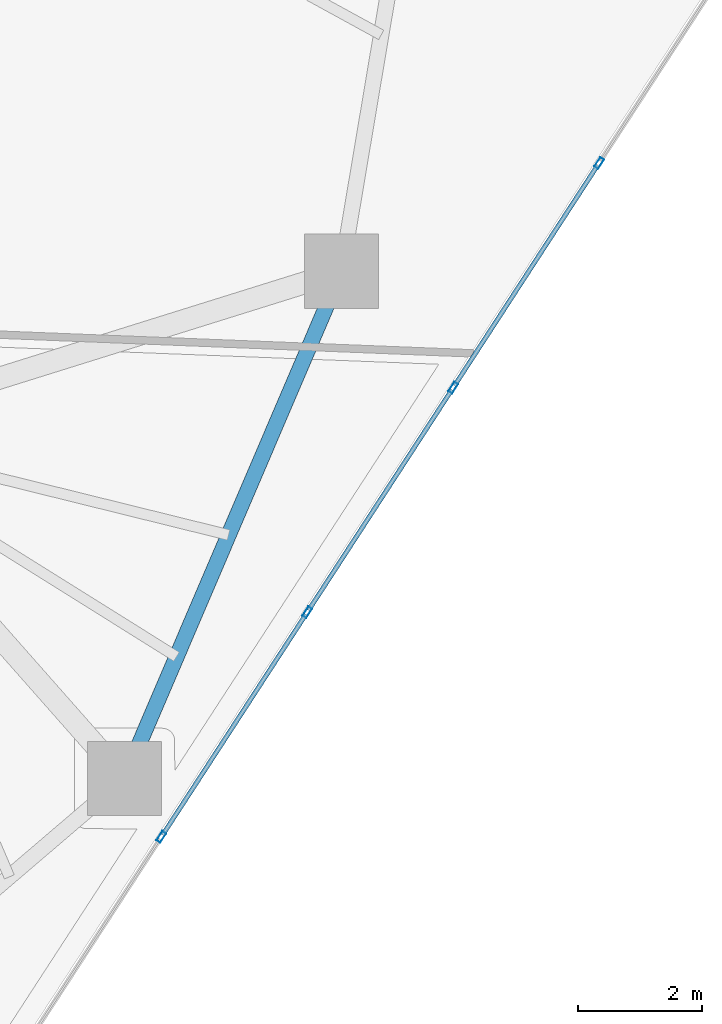
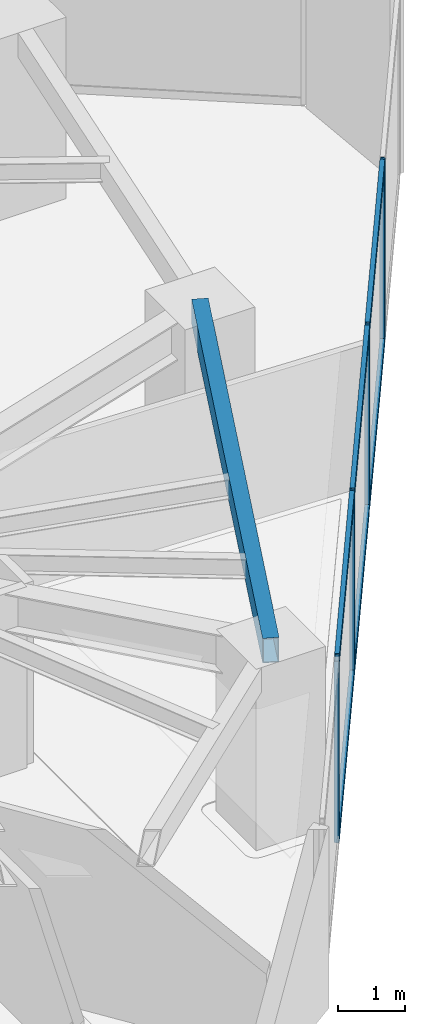
# One storey, part 11 of 21: 10 members, 1 beam, 1 element without a shape of its own.
"""IFC4 building model written with IfcOpenShell, lengths in metres."""

from ifc_helpers import new_model, si_unit, direction, frame, origin, origin_2d, place, context, subcontext, project, spatial, hollow_rectangle, extrude, source, transform, mapped, material, layer, layer_set, material_profile, profile_set, type_object, type_shapes, element, aggregate, save


model = new_model("IFC4")

# Units and contexts
model_context = context("Model", 3, precision=1e-05, world=origin(), true_north=direction((0.0, 1.0)))
body_context = subcontext(model_context, "Body", "Model", "MODEL_VIEW")
ifc_project = project(units=[si_unit("LENGTHUNIT", "METRE"), si_unit("AREAUNIT", "SQUARE_METRE"), si_unit("VOLUMEUNIT", "CUBIC_METRE"), si_unit("PLANEANGLEUNIT", "RADIAN"), si_unit("MASSUNIT", "GRAM", prefix="KILO")], contexts=[model_context])

# Site, building, storey
site_placement = place(None, origin())
site = spatial("IfcSite", under=ifc_project, at=site_placement, CompositionType="ELEMENT")
building_placement = place(site_placement, origin())
building = spatial("IfcBuilding", under=site, at=building_placement, Name="Talar Marvaseh", CompositionType="ELEMENT")
storey_placement = place(building_placement, frame((0.0, 0.0, 129.0)))
storey = spatial("IfcBuildingStorey", under=building, at=storey_placement, Name="L33", CompositionType="ELEMENT", Elevation=129.0)

# Beam
ifc_material_1 = material(Name="Steel S355", Category="steel")
ifc_material_profile_1 = material_profile(ifc_material_1, hollow_rectangle(XDim=0.25, YDim=0.449951171875, WallThickness=0.01611328125, at=origin_2d()), Name="RHS450x250x16")
ifc_profile_set_1 = profile_set([ifc_material_profile_1], Name="Steel S355")
beam_type = type_object("IfcBeamType", Name="Zone 2 Perimeter Spandrel Beam RHS450x250x16", PredefinedType="SPANDREL", material=ifc_profile_set_1)
beam_placement = place(storey_placement, frame((41.708984375, 28.1279296875, 3.0849609375), z_axis=(-0.393369955619, -0.919380268451, 0.0), x_axis=(0.919380268451, -0.393369955619, 0.0)))
element("IfcBeam", 1, at=beam_placement, inside=storey, type_object=beam_type, Name="L33 Zone 2 Perimeter Spandrel Beam RHS450x250x16", PredefinedType="SPANDREL", context=body_context, shape_type="SweptSolid", body=[
    extrude(hollow_rectangle(XDim=0.25, YDim=0.449951171875, WallThickness=0.01611328125, at=origin_2d()), origin(), (0.0, 0.0, 1.0), 8.905029296875),
])

# Curtain wall, members
ifc_material_2 = material(Name="Architectural Aluminium", Category="aluminium")
ifc_layer = layer(ifc_material_2, 0.199951171875)
ifc_layer_set = layer_set([ifc_layer], Name="Architectural Aluminium")
curtain_wall_type = type_object("IfcCurtainWallType", Name="Unitised Acoustic Library Curtain Wall Z2", PredefinedType="NOTDEFINED", material=ifc_layer_set)
curtain_wall_placement = place(storey_placement, origin())
curtain_wall = element("IfcCurtainWall", 2, at=curtain_wall_placement, inside=storey, type_object=curtain_wall_type, Name="L33 Unitised Acoustic Library Curtain Wall Z2", PredefinedType="NOTDEFINED")
ifc_material_profile_2 = material_profile(ifc_material_2, hollow_rectangle(XDim=0.074951171875, YDim=0.179931640625, WallThickness=0.0048828125, at=origin_2d()), Name="RHS180x75x5")
ifc_profile_set_2 = profile_set([ifc_material_profile_2], Name="Architectural Aluminium")
member_type_1 = type_object("IfcMemberType", Name="Unitised Curtain Wall Standard Mullion RHS180x75x5", PredefinedType="MULLION", material=ifc_profile_set_2)
shared_shape_1 = source(origin(), body_context, "Body", "SweptSolid", [
    extrude(hollow_rectangle(XDim=0.074951171875, YDim=0.179931640625, WallThickness=0.0048828125, at=origin_2d()), origin(), (0.0, 0.0, 1.0), 3.31005859375),
])
type_shapes(member_type_1, [shared_shape_1])
member_1_placement = place(storey_placement, frame((45.866943359375, 29.874267578125, 0.0), z_axis=(0.0, 0.0, 1.0), x_axis=(0.838585843215, -0.544769477449, 0.0)))
member_1 = element("IfcMember", 3, at=member_1_placement, type_object=member_type_1, Name="CW-Z2 mullion 2", PredefinedType="MULLION", context=body_context, shape_type="MappedRepresentation", body=[
    mapped(shared_shape_1, transform((0.0, 0.0, 0.0), x_axis=(1.0, 0.0, 0.0), y_axis=(0.0, 1.0, 0.0), z_axis=(0.0, 0.0, 1.0), scale=1.0)),
])
member_2_placement = place(storey_placement, frame((43.511474609375, 26.248779296875, 0.0), z_axis=(0.0, 0.0, 1.0), x_axis=(0.838585843215, -0.544769477449, 0.0)))
member_2 = element("IfcMember", 4, at=member_2_placement, type_object=member_type_1, Name="CW-Z2 mullion 3", PredefinedType="MULLION", context=body_context, shape_type="MappedRepresentation", body=[
    mapped(shared_shape_1, transform((0.0, 0.0, 0.0), x_axis=(1.0, 0.0, 0.0), y_axis=(0.0, 1.0, 0.0), z_axis=(0.0, 0.0, 1.0), scale=1.0)),
])
member_3_placement = place(storey_placement, frame((41.15625, 22.623046875, 0.0), z_axis=(0.0, 0.0, 1.0), x_axis=(0.838585843215, -0.544769477449, 0.0)))
member_3 = element("IfcMember", 5, at=member_3_placement, type_object=member_type_1, Name="CW-Z2 mullion 4", PredefinedType="MULLION", context=body_context, shape_type="MappedRepresentation", body=[
    mapped(shared_shape_1, transform((0.0, 0.0, 0.0), x_axis=(1.0, 0.0, 0.0), y_axis=(0.0, 1.0, 0.0), z_axis=(0.0, 0.0, 1.0), scale=1.0)),
])
member_4_placement = place(storey_placement, frame((38.801025390625, 18.99755859375, 0.0), z_axis=(0.0, 0.0, 1.0), x_axis=(0.838585843215, -0.544769477449, 0.0)))
member_4 = element("IfcMember", 6, at=member_4_placement, type_object=member_type_1, Name="CW-Z2 mullion 5", PredefinedType="MULLION", context=body_context, shape_type="MappedRepresentation", body=[
    mapped(shared_shape_1, transform((0.0, 0.0, 0.0), x_axis=(1.0, 0.0, 0.0), y_axis=(0.0, 1.0, 0.0), z_axis=(0.0, 0.0, 1.0), scale=1.0)),
])
ifc_material_profile_3 = material_profile(ifc_material_2, hollow_rectangle(XDim=0.074951171875, YDim=0.179931640625, WallThickness=0.0048828125, at=origin_2d()), Name="RHS180x75x5")
ifc_profile_set_3 = profile_set([ifc_material_profile_3], Name="Architectural Aluminium")
member_type_2 = type_object("IfcMemberType", Name="Unitised Curtain Wall Transom RHS180x75x5", PredefinedType="USERDEFINED", material=ifc_profile_set_3)
shared_shape_2 = source(origin(), body_context, "Body", "SweptSolid", [
    extrude(hollow_rectangle(XDim=0.074951171875, YDim=0.179931640625, WallThickness=0.0048828125, at=origin_2d()), origin(), (0.0, 0.0, 1.0), 4.24853515625),
])
type_shapes(member_type_2, [shared_shape_2])
member_5_placement = place(storey_placement, frame((45.846435546875, 29.843017578125, 0.03759765625), z_axis=(-0.544768167145, -0.838586694424, 0.0), x_axis=(0.838586694424, -0.544768167145, 0.0)))
member_5 = element("IfcMember", 7, at=member_5_placement, type_object=member_type_2, Name="CW-Z2 transom 2.1", ObjectType="TRANSOM", PredefinedType="USERDEFINED", context=body_context, shape_type="MappedRepresentation", body=[
    mapped(shared_shape_2, transform((0.0, 0.0, 0.0), x_axis=(1.0, 0.0, 0.0), y_axis=(0.0, 1.0, 0.0), z_axis=(0.0, 0.0, 1.0), scale=1.0)),
])
member_6_placement = place(storey_placement, frame((45.846435546875, 29.843017578125, 3.2724609375), z_axis=(-0.544768167145, -0.838586694424, 0.0), x_axis=(0.838586694424, -0.544768167145, 0.0)))
member_6 = element("IfcMember", 8, at=member_6_placement, type_object=member_type_2, Name="CW-Z2 transom 2.2", ObjectType="TRANSOM", PredefinedType="USERDEFINED", context=body_context, shape_type="MappedRepresentation", body=[
    mapped(shared_shape_2, transform((0.0, 0.0, 0.0), x_axis=(1.0, 0.0, 0.0), y_axis=(0.0, 1.0, 0.0), z_axis=(0.0, 0.0, 1.0), scale=1.0)),
])
member_7_placement = place(storey_placement, frame((43.4912109375, 26.21728515625, 0.03759765625), z_axis=(-0.544768167145, -0.838586694424, 0.0), x_axis=(0.838586694424, -0.544768167145, 0.0)))
member_7 = element("IfcMember", 9, at=member_7_placement, type_object=member_type_2, Name="CW-Z2 transom 3.1", ObjectType="TRANSOM", PredefinedType="USERDEFINED", context=body_context, shape_type="MappedRepresentation", body=[
    mapped(shared_shape_2, transform((0.0, 0.0, 0.0), x_axis=(1.0, 0.0, 0.0), y_axis=(0.0, 1.0, 0.0), z_axis=(0.0, 0.0, 1.0), scale=1.0)),
])
member_8_placement = place(storey_placement, frame((43.4912109375, 26.21728515625, 3.2724609375), z_axis=(-0.544768167145, -0.838586694424, 0.0), x_axis=(0.838586694424, -0.544768167145, 0.0)))
member_8 = element("IfcMember", 10, at=member_8_placement, type_object=member_type_2, Name="CW-Z2 transom 3.2", ObjectType="TRANSOM", PredefinedType="USERDEFINED", context=body_context, shape_type="MappedRepresentation", body=[
    mapped(shared_shape_2, transform((0.0, 0.0, 0.0), x_axis=(1.0, 0.0, 0.0), y_axis=(0.0, 1.0, 0.0), z_axis=(0.0, 0.0, 1.0), scale=1.0)),
])
member_9_placement = place(storey_placement, frame((41.1357421875, 22.591552734375, 0.03759765625), z_axis=(-0.544768167145, -0.838586694424, 0.0), x_axis=(0.838586694424, -0.544768167145, 0.0)))
member_9 = element("IfcMember", 11, at=member_9_placement, type_object=member_type_2, Name="CW-Z2 transom 4.1", ObjectType="TRANSOM", PredefinedType="USERDEFINED", context=body_context, shape_type="MappedRepresentation", body=[
    mapped(shared_shape_2, transform((0.0, 0.0, 0.0), x_axis=(1.0, 0.0, 0.0), y_axis=(0.0, 1.0, 0.0), z_axis=(0.0, 0.0, 1.0), scale=1.0)),
])
member_10_placement = place(storey_placement, frame((41.1357421875, 22.591552734375, 3.2724609375), z_axis=(-0.544768167145, -0.838586694424, 0.0), x_axis=(0.838586694424, -0.544768167145, 0.0)))
member_10 = element("IfcMember", 12, at=member_10_placement, type_object=member_type_2, Name="CW-Z2 transom 4.2", ObjectType="TRANSOM", PredefinedType="USERDEFINED", context=body_context, shape_type="MappedRepresentation", body=[
    mapped(shared_shape_2, transform((0.0, 0.0, 0.0), x_axis=(1.0, 0.0, 0.0), y_axis=(0.0, 1.0, 0.0), z_axis=(0.0, 0.0, 1.0), scale=1.0)),
])
aggregate(curtain_wall, [member_1, member_2, member_3, member_4, member_5, member_6, member_7, member_8, member_9, member_10])

save(model, "model.ifc")
